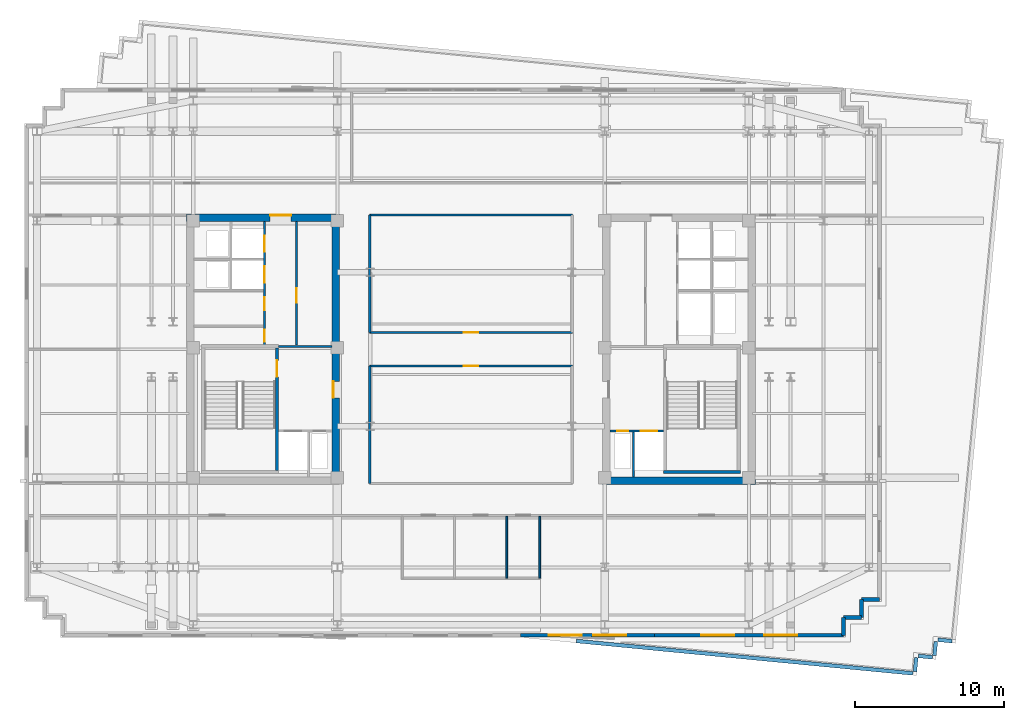
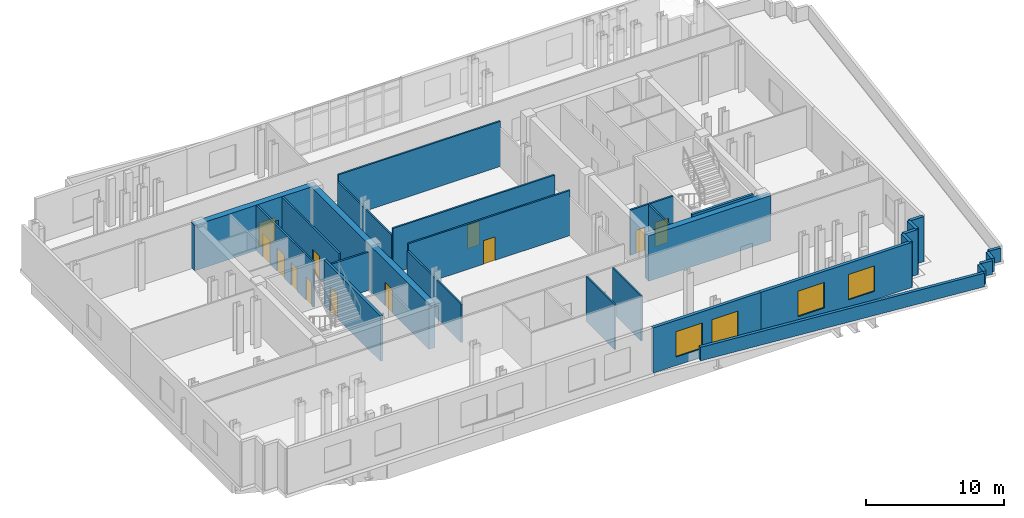
# One storey, part 6 of 11: 28 walls, 12 doors, 4 windows, 16 openings.
"""IFC4 building model written with IfcOpenShell, lengths in metres."""

from ifc_helpers import new_model, si_unit, direction, frame, frame_2d, origin, place, context, subcontext, project, spatial, rectangle, extrude, material, layer, layer_set, type_object, element, fill, save


model = new_model("IFC4")

# Units and contexts
model_context = context("Model", 3, precision=1e-05, world=origin(), true_north=direction((0.0, 1.0)))
body_context = subcontext(model_context, "Body", "Model", "MODEL_VIEW")
ifc_project = project(units=[si_unit("LENGTHUNIT", "METRE"), si_unit("AREAUNIT", "SQUARE_METRE"), si_unit("VOLUMEUNIT", "CUBIC_METRE"), si_unit("PLANEANGLEUNIT", "RADIAN"), si_unit("MASSUNIT", "GRAM", prefix="KILO")], contexts=[model_context])

# Site, building, storey
site_placement = place(None, origin())
site = spatial("IfcSite", under=ifc_project, at=site_placement, CompositionType="ELEMENT")
building_placement = place(site_placement, origin())
building = spatial("IfcBuilding", under=site, at=building_placement, Name="Velakula Bourse", CompositionType="ELEMENT")
storey_placement = place(building_placement, frame((0.0, 0.0, 204.300048828125)))
storey = spatial("IfcBuildingStorey", under=building, at=storey_placement, Name="L55", CompositionType="ELEMENT", Elevation=204.300048828125)

# Wall, opening, door
ifc_material_1 = material(Name="Concrete M50 (fck 50 MPa)", Category="concrete")
ifc_layer_1 = layer(ifc_material_1, 0.2099609375, Name="Concrete M50 (fck 50 MPa)", Category="concrete")
ifc_layer_set_1 = layer_set([ifc_layer_1], Name="Concrete M50 (fck 50 MPa)")
wall_type_1 = type_object("IfcWallType", Name="WL-CORE-210", PredefinedType="SHEAR", material=ifc_layer_set_1)
wall_1_placement = place(storey_placement, frame((-12.9951171875, -8.10009765625, 0.0), z_axis=(0.0, 0.0, 1.0), x_axis=(0.0, 1.0, 0.0)))
wall_1 = element("IfcWall", 1, at=wall_1_placement, inside=storey, type_object=wall_type_1, Name="L55 Core W Stairwell Shear Wall IN", PredefinedType="SHEAR", context=body_context, shape_type="SweptSolid", body=[
    extrude(rectangle(XDim=8.2001953125, YDim=0.2099609375, at=frame_2d((4.10009765625, 0.0))), origin(), (0.0, 0.0, 1.0), 4.02001953125),
])
opening_1_placement = place(wall_1_placement, frame((6.25, 0.0, 0.0)))
opening_1 = element("IfcOpeningElement", 2, at=opening_1_placement, cuts=wall_1, Name="Opening D-STW1", PredefinedType="OPENING", context=body_context, shape_type="SweptSolid", body=[
    extrude(rectangle(XDim=1.10009765625, YDim=2.14990234375, at=frame_2d((0.550048828125, 1.074951171875))), frame((0.0, 0.114990234375, 0.0), z_axis=(0.0, -1.0, 0.0), x_axis=(1.0, 0.0, 0.0)), (0.0, 0.0, 1.0), 0.22998046875),
])
ifc_material_2 = material(Name="Galvanised painted hollow steel fire door", Category="steel")
door_type_1 = type_object("IfcDoorType", Name="DR-FD120-1100x2150", OperationType="NOTDEFINED", PredefinedType="DOOR", material=ifc_material_2)
door_1_placement = place(opening_1_placement, origin())
door_1 = element("IfcDoor", 3, at=door_1_placement, inside=storey, type_object=door_type_1, Name="L55 Stair ST-W1 Fire Door", OperationType="SINGLE_SWING_LEFT", OverallHeight=2.14990234375, OverallWidth=1.10009765625, PredefinedType="DOOR", context=body_context, shape_type="SweptSolid", body=[
    extrude(rectangle(XDim=1.10009765625, YDim=2.14990234375, at=frame_2d((0.550048828125, 1.074951171875))), frame((0.0, 0.02490234375, 0.0), z_axis=(0.0, -1.0, 0.0), x_axis=(1.0, 0.0, 0.0)), (0.0, 0.0, 1.0), 0.050048828125),
])
fill(opening_1, door_1)

# Wall
wall_2_placement = place(storey_placement, frame((12.889892578125, -8.205078125, 0.0), z_axis=(0.0, 0.0, 1.0), x_axis=(1.0, 0.0, 0.0)))
element("IfcWall", 4, at=wall_2_placement, inside=storey, type_object=wall_type_1, Name="L55 Core E Stairwell Shear Wall S", PredefinedType="SHEAR", context=body_context, shape_type="SweptSolid", body=[
    extrude(rectangle(XDim=5.14013671875, YDim=0.2099609375, at=frame_2d((2.570068359375, 0.0))), origin(), (0.0, 0.0, 1.0), 4.02001953125),
])

# Wall, opening, door
ifc_layer_2 = layer(ifc_material_1, 0.5, Name="Concrete M50 (fck 50 MPa)", Category="concrete")
ifc_layer_set_2 = layer_set([ifc_layer_2], Name="Concrete M50 (fck 50 MPa)")
wall_type_2 = type_object("IfcWallType", Name="WL-CORE-500", PredefinedType="SHEAR", material=ifc_layer_set_2)
wall_3_placement = place(storey_placement, frame((-19.050048828125, 8.800048828125, 0.0), z_axis=(0.0, 0.0, 1.0), x_axis=(1.0, 0.0, 0.0)))
wall_3 = element("IfcWall", 5, at=wall_3_placement, inside=storey, type_object=wall_type_2, Name="L55 Core W Shear Wall N", PredefinedType="SHEAR", context=body_context, shape_type="SweptSolid", body=[
    extrude(rectangle(XDim=10.25, YDim=0.5, at=frame_2d((5.125, 0.0))), origin(), (0.0, 0.0, 1.0), 4.02001953125),
])
opening_2_placement = place(wall_3_placement, frame((5.60009765625, 0.0, 0.0)))
opening_2 = element("IfcOpeningElement", 6, at=opening_2_placement, cuts=wall_3, Name="Opening D-LLW", PredefinedType="OPENING", context=body_context, shape_type="SweptSolid", body=[
    extrude(rectangle(XDim=1.39990234375, YDim=2.050048828125, at=frame_2d((0.699951171875, 1.02490234375))), frame((0.0, 0.260009765625, 0.0), z_axis=(0.0, -1.0, 0.0), x_axis=(1.0, 0.0, 0.0)), (0.0, 0.0, 1.0), 0.52001953125),
])
ifc_material_3 = material(Name="Fire-rated hardwood flush architectural door", Category="wood")
door_type_2 = type_object("IfcDoorType", Name="DR-DBL-FD60-1400", OperationType="DOUBLE_DOOR_SINGLE_SWING", PredefinedType="DOOR", material=ifc_material_3)
door_2_placement = place(opening_2_placement, origin())
door_2 = element("IfcDoor", 7, at=door_2_placement, inside=storey, type_object=door_type_2, Name="L55 Core W Lift Lobby Corridor Double Door", OperationType="DOUBLE_DOOR_SINGLE_SWING", OverallHeight=2.050048828125, OverallWidth=1.39990234375, PredefinedType="DOOR", context=body_context, shape_type="SweptSolid", body=[
    extrude(rectangle(XDim=1.39990234375, YDim=2.050048828125, at=frame_2d((0.699951171875, 1.02490234375))), frame((0.0, 0.19482421875, 0.0), z_axis=(0.0, -1.0, 0.0), x_axis=(1.0, 0.0, 0.0)), (0.0, 0.0, 1.0), 0.050048828125),
])
fill(opening_2, door_2)

wall_4_placement = place(storey_placement, frame((-9.050048828125, -8.550048828125, 0.0), z_axis=(0.0, 0.0, 1.0), x_axis=(0.0, 1.0, 0.0)))
wall_4 = element("IfcWall", 8, at=wall_4_placement, inside=storey, type_object=wall_type_2, Name="L55 Core W Shear Wall E", PredefinedType="SHEAR", context=body_context, shape_type="SweptSolid", body=[
    extrude(rectangle(XDim=17.10009765625, YDim=0.5, at=frame_2d((8.550048828125, 0.0))), origin(), (0.0, 0.0, 1.0), 4.02001953125),
])
opening_3_placement = place(wall_4_placement, frame((5.300048828125, 0.0, 0.0)))
opening_3 = element("IfcOpeningElement", 9, at=opening_3_placement, cuts=wall_4, Name="Opening D-FLW", PredefinedType="OPENING", context=body_context, shape_type="SweptSolid", body=[
    extrude(rectangle(XDim=1.10009765625, YDim=2.080078125, at=frame_2d((0.550048828125, 1.0400390625))), frame((0.0, 0.260009765625, 0.0), z_axis=(0.0, -1.0, 0.0), x_axis=(1.0, 0.0, 0.0)), (0.0, 0.0, 1.0), 0.52001953125),
])
door_type_3 = type_object("IfcDoorType", Name="DR-FD120-1100", OperationType="NOTDEFINED", PredefinedType="DOOR", material=ifc_material_2)
door_3_placement = place(opening_3_placement, origin())
door_3 = element("IfcDoor", 10, at=door_3_placement, inside=storey, type_object=door_type_3, Name="L55 Firefighting Lobby W Corridor Fire Door", OperationType="SINGLE_SWING_LEFT", OverallHeight=2.080078125, OverallWidth=1.10009765625, PredefinedType="DOOR", context=body_context, shape_type="SweptSolid", body=[
    extrude(rectangle(XDim=1.10009765625, YDim=2.080078125, at=frame_2d((0.550048828125, 1.0400390625))), frame((0.0, 0.205078125, 0.0), z_axis=(0.0, -1.0, 0.0), x_axis=(1.0, 0.0, 0.0)), (0.0, 0.0, 1.0), 0.050048828125),
])
fill(opening_3, door_3)

# Wall
wall_5_placement = place(storey_placement, frame((8.800048828125, -8.800048828125, 0.0), z_axis=(0.0, 0.0, 1.0), x_axis=(1.0, 0.0, 0.0)))
element("IfcWall", 11, at=wall_5_placement, inside=storey, type_object=wall_type_2, Name="L55 Core E Shear Wall S", PredefinedType="SHEAR", context=body_context, shape_type="SweptSolid", body=[
    extrude(rectangle(XDim=10.25, YDim=0.5, at=frame_2d((5.125, 0.0))), origin(), (0.0, 0.0, 1.0), 4.02001953125),
])

# Wall, openings, windows
ifc_material_4 = material(Name="Buff kilned clay facing brick masonry", Category="masonry")
ifc_layer_3 = layer(ifc_material_4, 0.260009765625, Name="Buff kilned clay facing brick masonry", Category="masonry")
ifc_layer_set_3 = layer_set([ifc_layer_3], Name="Buff kilned clay facing brick masonry")
wall_type_3 = type_object("IfcWallType", Name="WL-EXT-BRK-260", PredefinedType="STANDARD", material=ifc_layer_set_3)
wall_6_placement = place(storey_placement, frame((12.300048828125, -19.14990234375, 0.0), z_axis=(0.0, 0.0, 1.0), x_axis=(-1.0, 0.0, 0.0)))
wall_6 = element("IfcWall", 12, at=wall_6_placement, inside=storey, type_object=wall_type_3, Name="L55 S Brick Spandrel Wall B4", PredefinedType="STANDARD", context=body_context, shape_type="SweptSolid", body=[
    extrude(rectangle(XDim=9.0, YDim=0.260009765625, at=frame_2d((4.5, 0.0))), origin(), (0.0, 0.0, 1.0), 4.0),
])
opening_4_placement = place(wall_6_placement, frame((1.89990234375, 0.0, 0.760009765625)))
opening_4 = element("IfcOpeningElement", 13, at=opening_4_placement, cuts=wall_6, Name="Opening W-08", PredefinedType="OPENING", context=body_context, shape_type="SweptSolid", body=[
    extrude(rectangle(XDim=2.199951171875, YDim=2.25, at=frame_2d((1.10009765625, 1.125))), frame((0.0, 0.139892578125, 0.0), z_axis=(0.0, -1.0, 0.0), x_axis=(1.0, 0.0, 0.0)), (0.0, 0.0, 1.0), 0.280029296875),
])
opening_5_placement = place(wall_6_placement, frame((4.89990234375, 0.0, 0.760009765625)))
opening_5 = element("IfcOpeningElement", 14, at=opening_5_placement, cuts=wall_6, Name="Opening W-08", PredefinedType="OPENING", context=body_context, shape_type="SweptSolid", body=[
    extrude(rectangle(XDim=2.199951171875, YDim=2.25, at=frame_2d((1.10009765625, 1.125))), frame((0.0, 0.139892578125, 0.0), z_axis=(0.0, -1.0, 0.0), x_axis=(1.0, 0.0, 0.0)), (0.0, 0.0, 1.0), 0.280029296875),
])
ifc_material_5 = material(Name="Double-glazed solar-control Low-E glass", Category="glass")
window_type = type_object("IfcWindowType", Name="WIN-SL-2200x2500", PartitioningType="DOUBLE_PANEL_VERTICAL", PredefinedType="WINDOW", material=ifc_material_5)
window_1_placement = place(opening_4_placement, origin())
window_1 = element("IfcWindow", 15, at=window_1_placement, inside=storey, type_object=window_type, Name="L55 Deep-Set Recessed Window 1", OverallHeight=2.25, OverallWidth=2.199951171875, PartitioningType="DOUBLE_PANEL_VERTICAL", PredefinedType="WINDOW", context=body_context, shape_type="SweptSolid", body=[
    extrude(rectangle(XDim=2.199951171875, YDim=2.25, at=frame_2d((1.10009765625, 1.125))), frame((0.0, 0.030029296875, 0.0), z_axis=(0.0, -1.0, 0.0), x_axis=(1.0, 0.0, 0.0)), (0.0, 0.0, 1.0), 0.06005859375),
])
fill(opening_4, window_1)
window_2_placement = place(opening_5_placement, origin())
window_2 = element("IfcWindow", 16, at=window_2_placement, inside=storey, type_object=window_type, Name="L55 Deep-Set Recessed Window 2", OverallHeight=2.25, OverallWidth=2.199951171875, PartitioningType="DOUBLE_PANEL_VERTICAL", PredefinedType="WINDOW", context=body_context, shape_type="SweptSolid", body=[
    extrude(rectangle(XDim=2.199951171875, YDim=2.25, at=frame_2d((1.10009765625, 1.125))), frame((0.0, 0.030029296875, 0.0), z_axis=(0.0, -1.0, 0.0), x_axis=(1.0, 0.0, 0.0)), (0.0, 0.0, 1.0), 0.06005859375),
])
fill(opening_5, window_2)

wall_7_placement = place(storey_placement, frame((24.949951171875, -19.14990234375, 0.0), z_axis=(0.0, 0.0, 1.0), x_axis=(-1.0, 0.0, 0.0)))
wall_7 = element("IfcWall", 17, at=wall_7_placement, inside=storey, type_object=wall_type_3, Name="L55 S Brick Spandrel Wall B5", PredefinedType="STANDARD", context=body_context, shape_type="SweptSolid", body=[
    extrude(rectangle(XDim=12.64990234375, YDim=0.260009765625, at=frame_2d((6.324951171875, 0.0))), origin(), (0.0, 0.0, 1.0), 4.0),
])
opening_6_placement = place(wall_7_placement, frame((3.11669921875, 0.0, 0.760009765625)))
opening_6 = element("IfcOpeningElement", 18, at=opening_6_placement, cuts=wall_7, Name="Opening W-08", PredefinedType="OPENING", context=body_context, shape_type="SweptSolid", body=[
    extrude(rectangle(XDim=2.199951171875, YDim=2.25, at=frame_2d((1.10009765625, 1.125))), frame((0.0, 0.139892578125, 0.0), z_axis=(0.0, -1.0, 0.0), x_axis=(1.0, 0.0, 0.0)), (0.0, 0.0, 1.0), 0.280029296875),
])
opening_7_placement = place(wall_7_placement, frame((7.333251953125, 0.0, 0.760009765625)))
opening_7 = element("IfcOpeningElement", 19, at=opening_7_placement, cuts=wall_7, Name="Opening W-08", PredefinedType="OPENING", context=body_context, shape_type="SweptSolid", body=[
    extrude(rectangle(XDim=2.199951171875, YDim=2.25, at=frame_2d((1.10009765625, 1.125))), frame((0.0, 0.139892578125, 0.0), z_axis=(0.0, -1.0, 0.0), x_axis=(1.0, 0.0, 0.0)), (0.0, 0.0, 1.0), 0.280029296875),
])
window_3_placement = place(opening_6_placement, origin())
window_3 = element("IfcWindow", 20, at=window_3_placement, inside=storey, type_object=window_type, Name="L55 Deep-Set Recessed Window 1", OverallHeight=2.25, OverallWidth=2.199951171875, PartitioningType="DOUBLE_PANEL_VERTICAL", PredefinedType="WINDOW", context=body_context, shape_type="SweptSolid", body=[
    extrude(rectangle(XDim=2.199951171875, YDim=2.25, at=frame_2d((1.10009765625, 1.125))), frame((0.0, 0.030029296875, 0.0), z_axis=(0.0, -1.0, 0.0), x_axis=(1.0, 0.0, 0.0)), (0.0, 0.0, 1.0), 0.06005859375),
])
fill(opening_6, window_3)
window_4_placement = place(opening_7_placement, origin())
window_4 = element("IfcWindow", 21, at=window_4_placement, inside=storey, type_object=window_type, Name="L55 Deep-Set Recessed Window 2", OverallHeight=2.25, OverallWidth=2.199951171875, PartitioningType="DOUBLE_PANEL_VERTICAL", PredefinedType="WINDOW", context=body_context, shape_type="SweptSolid", body=[
    extrude(rectangle(XDim=2.199951171875, YDim=2.25, at=frame_2d((1.10009765625, 1.125))), frame((0.0, 0.030029296875, 0.0), z_axis=(0.0, -1.0, 0.0), x_axis=(1.0, 0.0, 0.0)), (0.0, 0.0, 1.0), 0.06005859375),
])
fill(opening_7, window_4)

# Walls
for number, where, z_axis, x_axis, name in (
    (22, (24.949951171875, -19.14990234375, 0.0), (0.0, 0.0, 1.0), (0.0, 1.0, 0.0), "L55 Serrated Corner Brick Wall SE-1"),
    (23, (24.949951171875, -17.949951171875, 0.0), (0.0, 0.0, 1.0), (1.0, 0.0, 0.0), "L55 Serrated Corner Brick Wall SE-2"),
    (24, (26.14990234375, -17.949951171875, 0.0), (0.0, 0.0, 1.0), (0.0, 1.0, 0.0), "L55 Serrated Corner Brick Wall SE-3"),
):
    element("IfcWall", number, at=place(storey_placement, frame(where, z_axis=z_axis, x_axis=x_axis)), inside=storey, type_object=wall_type_3, Name=name, PredefinedType="STANDARD", context=body_context, shape_type="SweptSolid", body=[
        extrude(rectangle(XDim=1.199951171875, YDim=0.260009765625, at=frame_2d((0.60009765625, 0.0))), origin(), (0.0, 0.0, 1.0), 4.0),
    ])
wall_8_placement = place(storey_placement, frame((26.14990234375, -16.75, 0.0), z_axis=(0.0, 0.0, 1.0), x_axis=(1.0, 0.0, 0.0)))
element("IfcWall", 25, at=wall_8_placement, inside=storey, type_object=wall_type_3, Name="L55 Serrated Corner Brick Wall SE-4", PredefinedType="STANDARD", context=body_context, shape_type="SweptSolid", body=[
    extrude(rectangle(XDim=1.2001953125, YDim=0.260009765625, at=frame_2d((0.60009765625, 0.0))), origin(), (0.0, 0.0, 1.0), 4.0),
])
ifc_layer_4 = layer(ifc_material_4, 0.25, Name="Buff kilned clay facing brick masonry", Category="masonry")
ifc_layer_set_4 = layer_set([ifc_layer_4], Name="Buff kilned clay facing brick masonry")
wall_type_4 = type_object("IfcWallType", Name="WL-PAR-ROOF-250", PredefinedType="PARAPET", material=ifc_layer_set_4)
for number, where, z_axis, x_axis, name in (
    (26, (32.1982421875, -19.542236328125, 0.0), (0.0, 0.0, 1.0), (-0.995398079194, 0.095826217381, 0.0), "L55 Closed Roof Perimeter Parapet 13"),
    (27, (31.12060546875, -19.569091796875, 0.0), (0.0, 0.0, 1.0), (-0.095826217381, -0.995398079194, 0.0), "L55 Closed Roof Perimeter Parapet 14"),
    (28, (30.888671875, -20.62158203125, 0.0), (0.0, 0.0, 1.0), (-0.995398079194, 0.095826217381, 0.0), "L55 Closed Roof Perimeter Parapet 15"),
):
    element("IfcWall", number, at=place(storey_placement, frame(where, z_axis=z_axis, x_axis=x_axis)), inside=storey, type_object=wall_type_4, Name=name, PredefinedType="PARAPET", context=body_context, shape_type="SweptSolid", body=[
        extrude(rectangle(XDim=0.940185546875, YDim=0.25, at=frame_2d((0.47021484375, 0.0))), origin(), (0.0, 0.0, 1.0), 1.199951171875),
    ])
wall_9_placement = place(storey_placement, frame((29.81103515625, -20.648681640625, 0.0), z_axis=(0.0, 0.0, 1.0), x_axis=(-0.095850994504, -0.995395693608, 0.0)))
element("IfcWall", 29, at=wall_9_placement, inside=storey, type_object=wall_type_4, Name="L55 Closed Roof Perimeter Parapet 16", PredefinedType="PARAPET", context=body_context, shape_type="SweptSolid", body=[
    extrude(rectangle(XDim=0.93994140625, YDim=0.25, at=frame_2d((0.469970703125, 0.0))), origin(), (0.0, 0.0, 1.0), 1.199951171875),
])
wall_10_placement = place(storey_placement, frame((29.5791015625, -21.701171875, 0.0), z_axis=(0.0, 0.0, 1.0), x_axis=(-0.995396348801, 0.095844190195, 0.0)))
element("IfcWall", 30, at=wall_10_placement, inside=storey, type_object=wall_type_4, Name="L55 Closed Roof Perimeter Parapet 17", PredefinedType="PARAPET", context=body_context, shape_type="SweptSolid", body=[
    extrude(rectangle(XDim=22.62744140625, YDim=0.25, at=frame_2d((11.313720703125, 0.0))), origin(), (0.0, 0.0, 1.0), 1.199951171875),
])
ifc_material_6 = material(Name="Fire-rated double-layer gypsum drywall partition", Category="gypsum")
ifc_layer_5 = layer(ifc_material_6, 0.1201171875, Name="Fire-rated double-layer gypsum drywall partition", Category="gypsum")
ifc_layer_set_5 = layer_set([ifc_layer_5], Name="Fire-rated double-layer gypsum drywall partition")
wall_type_5 = type_object("IfcWallType", Name="WL-PART-120", PredefinedType="STANDARD", material=ifc_layer_set_5)
for number, where, z_axis, x_axis, name in (
    (31, (2.39990234375, -15.320068359375, 0.0), (0.0, 0.0, 1.0), (0.0, 1.0, 0.0), "L55 Interior Partition WL-WC-L55-V3"),
    (32, (4.60009765625, -15.320068359375, 0.0), (0.0, 0.0, 1.0), (0.0, 1.0, 0.0), "L55 Interior Partition WL-WC-L55-V4"),
):
    element("IfcWall", number, at=place(storey_placement, frame(where, z_axis=z_axis, x_axis=x_axis)), inside=storey, type_object=wall_type_5, Name=name, PredefinedType="STANDARD", context=body_context, shape_type="SweptSolid", body=[
        extrude(rectangle(XDim=4.130126953125, YDim=0.1201171875, at=frame_2d((2.06494140625, 0.0))), origin(), (0.0, 0.0, 1.0), 4.0),
    ])

# Wall, opening, door
ifc_layer_6 = layer(ifc_material_6, 0.139892578125, Name="Fire-rated double-layer gypsum drywall partition", Category="gypsum")
ifc_layer_set_6 = layer_set([ifc_layer_6], Name="Fire-rated double-layer gypsum drywall partition")
wall_type_6 = type_object("IfcWallType", Name="WL-PART-140", PredefinedType="STANDARD", material=ifc_layer_set_6)
wall_11_placement = place(storey_placement, frame((-6.780029296875, 1.1201171875, 0.0), z_axis=(0.0, 0.0, 1.0), x_axis=(1.0, 0.0, 0.0)))
wall_11 = element("IfcWall", 33, at=wall_11_placement, inside=storey, type_object=wall_type_6, Name="L55 Interior Partition WL-INT-L55-MN-IN", PredefinedType="STANDARD", context=body_context, shape_type="SweptSolid", body=[
    extrude(rectangle(XDim=13.56005859375, YDim=0.139892578125, at=frame_2d((6.780029296875, 0.0))), origin(), (0.0, 0.0, 1.0), 4.0),
])
opening_8_placement = place(wall_11_placement, frame((6.280029296875, 0.0, 0.0)))
opening_8 = element("IfcOpeningElement", 34, at=opening_8_placement, cuts=wall_11, Name="Opening D-OF1", PredefinedType="OPENING", context=body_context, shape_type="SweptSolid", body=[
    extrude(rectangle(XDim=1.0, YDim=2.080078125, at=frame_2d((0.5, 1.0400390625))), frame((0.0, 0.079833984375, 0.0), z_axis=(0.0, -1.0, 0.0), x_axis=(1.0, 0.0, 0.0)), (0.0, 0.0, 1.0), 0.159912109375),
])
door_type_4 = type_object("IfcDoorType", Name="DR-OFF-1000", OperationType="NOTDEFINED", PredefinedType="DOOR", material=ifc_material_3)
door_4_placement = place(opening_8_placement, origin())
door_4 = element("IfcDoor", 35, at=door_4_placement, inside=storey, type_object=door_type_4, Name="L55 Broadcast Control Office Door", OperationType="SINGLE_SWING_RIGHT", OverallHeight=2.080078125, OverallWidth=1.0, PredefinedType="DOOR", context=body_context, shape_type="SweptSolid", body=[
    extrude(rectangle(XDim=1.0, YDim=2.080078125, at=frame_2d((0.5, 1.0400390625))), frame((0.0, 0.02490234375, 0.0), z_axis=(0.0, -1.0, 0.0), x_axis=(1.0, 0.0, 0.0)), (0.0, 0.0, 1.0), 0.050048828125),
])
fill(opening_8, door_4)

# Walls
wall_12_placement = place(storey_placement, frame((-6.780029296875, 8.97998046875, 0.0), z_axis=(0.0, 0.0, 1.0), x_axis=(1.0, 0.0, 0.0)))
element("IfcWall", 36, at=wall_12_placement, inside=storey, type_object=wall_type_6, Name="L55 Interior Partition WL-INT-L55-MN-OUT", PredefinedType="STANDARD", context=body_context, shape_type="SweptSolid", body=[
    extrude(rectangle(XDim=13.56005859375, YDim=0.139892578125, at=frame_2d((6.780029296875, 0.0))), origin(), (0.0, 0.0, 1.0), 4.0),
])
wall_13_placement = place(storey_placement, frame((-6.780029296875, 1.1201171875, 0.0), z_axis=(0.0, 0.0, 1.0), x_axis=(0.0, 1.0, 0.0)))
element("IfcWall", 37, at=wall_13_placement, inside=storey, type_object=wall_type_6, Name="L55 Interior Partition WL-INT-L55-MN-W", PredefinedType="STANDARD", context=body_context, shape_type="SweptSolid", body=[
    extrude(rectangle(XDim=7.85986328125, YDim=0.139892578125, at=frame_2d((3.929931640625, 0.0))), origin(), (0.0, 0.0, 1.0), 3.39501953125),
])

# Wall, opening, door
wall_14_placement = place(storey_placement, frame((-6.780029296875, -1.1201171875, 0.0), z_axis=(0.0, 0.0, 1.0), x_axis=(1.0, 0.0, 0.0)))
wall_14 = element("IfcWall", 38, at=wall_14_placement, inside=storey, type_object=wall_type_6, Name="L55 Interior Partition WL-INT-L55-MS-IN", PredefinedType="STANDARD", context=body_context, shape_type="SweptSolid", body=[
    extrude(rectangle(XDim=13.56005859375, YDim=0.139892578125, at=frame_2d((6.780029296875, 0.0))), origin(), (0.0, 0.0, 1.0), 4.0),
])
opening_9_placement = place(wall_14_placement, frame((6.280029296875, 0.0, 0.0)))
opening_9 = element("IfcOpeningElement", 39, at=opening_9_placement, cuts=wall_14, Name="Opening D-OF1", PredefinedType="OPENING", context=body_context, shape_type="SweptSolid", body=[
    extrude(rectangle(XDim=1.0, YDim=2.080078125, at=frame_2d((0.5, 1.0400390625))), frame((0.0, 0.079833984375, 0.0), z_axis=(0.0, -1.0, 0.0), x_axis=(1.0, 0.0, 0.0)), (0.0, 0.0, 1.0), 0.159912109375),
])
door_5_placement = place(opening_9_placement, origin())
door_5 = element("IfcDoor", 40, at=door_5_placement, inside=storey, type_object=door_type_4, Name="L55 Margin Control Office Door", OperationType="SINGLE_SWING_LEFT", OverallHeight=2.080078125, OverallWidth=1.0, PredefinedType="DOOR", context=body_context, shape_type="SweptSolid", body=[
    extrude(rectangle(XDim=1.0, YDim=2.080078125, at=frame_2d((0.5, 1.0400390625))), frame((0.0, 0.02490234375, 0.0), z_axis=(0.0, -1.0, 0.0), x_axis=(1.0, 0.0, 0.0)), (0.0, 0.0, 1.0), 0.050048828125),
])
fill(opening_9, door_5)

# Walls
wall_15_placement = place(storey_placement, frame((-6.780029296875, -8.97998046875, 0.0), z_axis=(0.0, 0.0, 1.0), x_axis=(0.0, 1.0, 0.0)))
element("IfcWall", 41, at=wall_15_placement, inside=storey, type_object=wall_type_6, Name="L55 Interior Partition WL-INT-L55-MS-W", PredefinedType="STANDARD", context=body_context, shape_type="SweptSolid", body=[
    extrude(rectangle(XDim=7.85986328125, YDim=0.139892578125, at=frame_2d((3.929931640625, 0.0))), origin(), (0.0, 0.0, 1.0), 3.39501953125),
])
ifc_material_7 = material(Name="Autoclaved aerated concrete blockwork masonry", Category="masonry")
ifc_layer_7 = layer(ifc_material_7, 0.14990234375, Name="Autoclaved aerated concrete blockwork masonry", Category="masonry")
ifc_layer_set_7 = layer_set([ifc_layer_7], Name="Autoclaved aerated concrete blockwork masonry")
wall_type_7 = type_object("IfcWallType", Name="WL-SHAFT-150", PredefinedType="STANDARD", material=ifc_layer_set_7)
wall_16_placement = place(storey_placement, frame((-12.889892578125, 0.18994140625, 0.0), z_axis=(0.0, 0.0, 1.0), x_axis=(1.0, 0.0, 0.0)))
element("IfcWall", 42, at=wall_16_placement, inside=storey, type_object=wall_type_7, Name="L55 Interior Partition WL-CRW-L55-FF-TOP", PredefinedType="STANDARD", context=body_context, shape_type="SweptSolid", body=[
    extrude(rectangle(XDim=3.58984375, YDim=0.14990234375, at=frame_2d((1.794921875, 0.0))), origin(), (0.0, 0.0, 1.0), 3.39501953125),
])

# Wall, opening, door
wall_17_placement = place(storey_placement, frame((-11.675048828125, 0.27001953125, 0.0), z_axis=(0.0, 0.0, 1.0), x_axis=(0.0, 1.0, 0.0)))
wall_17 = element("IfcWall", 43, at=wall_17_placement, inside=storey, type_object=wall_type_7, Name="L55 Interior Partition WL-CRW-L55-BANK-F", PredefinedType="STANDARD", context=body_context, shape_type="SweptSolid", body=[
    extrude(rectangle(XDim=8.280029296875, YDim=0.14990234375, at=frame_2d((4.14013671875, 0.0))), origin(), (0.0, 0.0, 1.0), 4.0),
])
opening_10_placement = place(wall_17_placement, frame((2.85009765625, 0.0, 0.0)))
opening_10 = element("IfcOpeningElement", 44, at=opening_10_placement, cuts=wall_17, Name="Opening D-RC4", PredefinedType="OPENING", context=body_context, shape_type="SweptSolid", body=[
    extrude(rectangle(XDim=0.949951171875, YDim=2.050048828125, at=frame_2d((0.47509765625, 1.02490234375))), frame((0.0, 0.0849609375, 0.0), z_axis=(0.0, -1.0, 0.0), x_axis=(1.0, 0.0, 0.0)), (0.0, 0.0, 1.0), 0.169921875),
])
door_type_5 = type_object("IfcDoorType", Name="DR-FD60-950x2050", OperationType="NOTDEFINED", PredefinedType="DOOR", material=ifc_material_3)
door_6_placement = place(opening_10_placement, origin())
door_6 = element("IfcDoor", 45, at=door_6_placement, inside=storey, type_object=door_type_5, Name="L55 Reclaimed Multi-Bay Archive Room Door", OperationType="SINGLE_SWING_RIGHT", OverallHeight=2.050048828125, OverallWidth=0.949951171875, PredefinedType="DOOR", context=body_context, shape_type="SweptSolid", body=[
    extrude(rectangle(XDim=0.949951171875, YDim=2.050048828125, at=frame_2d((0.47509765625, 1.02490234375))), frame((0.0, 0.02490234375, 0.0), z_axis=(0.0, -1.0, 0.0), x_axis=(1.0, 0.0, 0.0)), (0.0, 0.0, 1.0), 0.050048828125),
])
fill(opening_10, door_6)

# Wall, openings, doors
wall_18_placement = place(storey_placement, frame((-13.824951171875, 0.27001953125, 0.0), z_axis=(0.0, 0.0, 1.0), x_axis=(0.0, 1.0, 0.0)))
wall_18 = element("IfcWall", 46, at=wall_18_placement, inside=storey, type_object=wall_type_7, Name="L55 Interior Partition WL-CRW-L55-OUT-F", PredefinedType="STANDARD", context=body_context, shape_type="SweptSolid", body=[
    extrude(rectangle(XDim=8.280029296875, YDim=0.14990234375, at=frame_2d((4.14013671875, 0.0))), origin(), (0.0, 0.0, 1.0), 4.0),
])
opening_11_placement = place(wall_18_placement, frame((4.175048828125, 0.0, 0.0)))
opening_11 = element("IfcOpeningElement", 47, at=opening_11_placement, cuts=wall_18, Name="Opening LD-P9", PredefinedType="OPENING", context=body_context, shape_type="SweptSolid", body=[
    extrude(rectangle(XDim=1.10009765625, YDim=2.10009765625, at=frame_2d((0.550048828125, 1.050048828125))), frame((0.0, 0.0849609375, 0.0), z_axis=(0.0, -1.0, 0.0), x_axis=(1.0, 0.0, 0.0)), (0.0, 0.0, 1.0), 0.169921875),
])
opening_12_placement = place(wall_18_placement, frame((6.2451171875, 0.0, 0.0)))
opening_12 = element("IfcOpeningElement", 48, at=opening_12_placement, cuts=wall_18, Name="Opening LD-P10", PredefinedType="OPENING", context=body_context, shape_type="SweptSolid", body=[
    extrude(rectangle(XDim=1.10009765625, YDim=2.10009765625, at=frame_2d((0.550048828125, 1.050048828125))), frame((0.0, 0.0849609375, 0.0), z_axis=(0.0, -1.0, 0.0), x_axis=(1.0, 0.0, 0.0)), (0.0, 0.0, 1.0), 0.169921875),
])
opening_13_placement = place(wall_18_placement, frame((0.25, 0.0, 0.0)))
opening_13 = element("IfcOpeningElement", 49, at=opening_13_placement, cuts=wall_18, Name="Opening D-CS1", PredefinedType="OPENING", context=body_context, shape_type="SweptSolid", body=[
    extrude(rectangle(XDim=0.800048828125, YDim=2.050048828125, at=frame_2d((0.39990234375, 1.02490234375))), frame((0.0, 0.0849609375, 0.0), z_axis=(0.0, -1.0, 0.0), x_axis=(1.0, 0.0, 0.0)), (0.0, 0.0, 1.0), 0.169921875),
])
opening_14_placement = place(wall_18_placement, frame((2.35009765625, 0.0, 0.0)))
opening_14 = element("IfcOpeningElement", 50, at=opening_14_placement, cuts=wall_18, Name="Opening D-CW1", PredefinedType="OPENING", context=body_context, shape_type="SweptSolid", body=[
    extrude(rectangle(XDim=0.85009765625, YDim=2.050048828125, at=frame_2d((0.425048828125, 1.02490234375))), frame((0.0, 0.0849609375, 0.0), z_axis=(0.0, -1.0, 0.0), x_axis=(1.0, 0.0, 0.0)), (0.0, 0.0, 1.0), 0.169921875),
])
door_type_6 = type_object("IfcDoorType", Name="DR-INT-850", OperationType="NOTDEFINED", PredefinedType="DOOR", material=ifc_material_3)
door_7_placement = place(opening_14_placement, origin())
door_7 = element("IfcDoor", 51, at=door_7_placement, inside=storey, type_object=door_type_6, Name="L55 Core Janitor Closet Door", OperationType="SINGLE_SWING_RIGHT", OverallHeight=2.050048828125, OverallWidth=0.85009765625, PredefinedType="DOOR", context=body_context, shape_type="SweptSolid", body=[
    extrude(rectangle(XDim=0.85009765625, YDim=2.050048828125, at=frame_2d((0.425048828125, 1.02490234375))), frame((0.0, 0.02490234375, 0.0), z_axis=(0.0, -1.0, 0.0), x_axis=(1.0, 0.0, 0.0)), (0.0, 0.0, 1.0), 0.050048828125),
])
fill(opening_14, door_7)
door_type_7 = type_object("IfcDoorType", Name="DR-RISER-800x2050", OperationType="NOTDEFINED", PredefinedType="DOOR", material=ifc_material_2)
door_8_placement = place(opening_13_placement, origin())
door_8 = element("IfcDoor", 52, at=door_8_placement, inside=storey, type_object=door_type_7, Name="L55 Core Cleaner Store Door", OperationType="SINGLE_SWING_LEFT", OverallHeight=2.050048828125, OverallWidth=0.800048828125, PredefinedType="DOOR", context=body_context, shape_type="SweptSolid", body=[
    extrude(rectangle(XDim=0.800048828125, YDim=2.050048828125, at=frame_2d((0.39990234375, 1.02490234375))), frame((0.0, 0.02490234375, 0.0), z_axis=(0.0, -1.0, 0.0), x_axis=(1.0, 0.0, 0.0)), (0.0, 0.0, 1.0), 0.050048828125),
])
fill(opening_13, door_8)
ifc_material_8 = material(Name="Brushed grade 316 stainless steel", Category="steel")
door_type_8 = type_object("IfcDoorType", Name="DR-SLIDE-LD-1100", OperationType="DOUBLE_DOOR_SLIDING", PredefinedType="DOOR", material=ifc_material_8)
door_9_placement = place(opening_11_placement, origin())
door_9 = element("IfcDoor", 53, at=door_9_placement, inside=storey, type_object=door_type_8, Name="L55 Passenger Lift P9 Sliding Landing Door", OperationType="DOUBLE_DOOR_SLIDING", OverallHeight=2.10009765625, OverallWidth=1.10009765625, PredefinedType="DOOR", context=body_context, shape_type="SweptSolid", body=[
    extrude(rectangle(XDim=1.10009765625, YDim=2.10009765625, at=frame_2d((0.550048828125, 1.050048828125))), frame((0.0, 0.02490234375, 0.0), z_axis=(0.0, -1.0, 0.0), x_axis=(1.0, 0.0, 0.0)), (0.0, 0.0, 1.0), 0.050048828125),
])
fill(opening_11, door_9)
door_10_placement = place(opening_12_placement, origin())
door_10 = element("IfcDoor", 54, at=door_10_placement, inside=storey, type_object=door_type_8, Name="L55 Passenger Lift P10 Sliding Landing Door", OperationType="DOUBLE_DOOR_SLIDING", OverallHeight=2.10009765625, OverallWidth=1.10009765625, PredefinedType="DOOR", context=body_context, shape_type="SweptSolid", body=[
    extrude(rectangle(XDim=1.10009765625, YDim=2.10009765625, at=frame_2d((0.550048828125, 1.050048828125))), frame((0.0, 0.02490234375, 0.0), z_axis=(0.0, -1.0, 0.0), x_axis=(1.0, 0.0, 0.0)), (0.0, 0.0, 1.0), 0.050048828125),
])
fill(opening_12, door_10)

wall_19_placement = place(storey_placement, frame((9.300048828125, -5.47509765625, 0.0), z_axis=(0.0, 0.0, 1.0), x_axis=(1.0, 0.0, 0.0)))
wall_19 = element("IfcWall", 55, at=wall_19_placement, inside=storey, type_object=wall_type_7, Name="L55 Interior Partition WL-CRE-L55-FFL-N", PredefinedType="STANDARD", context=body_context, shape_type="SweptSolid", body=[
    extrude(rectangle(XDim=3.594970703125, YDim=0.14990234375, at=frame_2d((1.79736328125, 0.0))), origin(), (0.0, 0.0, 1.0), 4.0),
])
opening_15_placement = place(wall_19_placement, frame((2.074951171875, 0.0, 0.0)))
opening_15 = element("IfcOpeningElement", 56, at=opening_15_placement, cuts=wall_19, Name="Opening LD-FFL-2", PredefinedType="OPENING", context=body_context, shape_type="SweptSolid", body=[
    extrude(rectangle(XDim=1.10009765625, YDim=2.14990234375, at=frame_2d((0.550048828125, 1.074951171875))), frame((0.0, 0.0849609375, 0.0), z_axis=(0.0, -1.0, 0.0), x_axis=(1.0, 0.0, 0.0)), (0.0, 0.0, 1.0), 0.169921875),
])
opening_16_placement = place(wall_19_placement, frame((0.47509765625, 0.0, 0.0)))
opening_16 = element("IfcOpeningElement", 57, at=opening_16_placement, cuts=wall_19, Name="Opening D-RS1", PredefinedType="OPENING", context=body_context, shape_type="SweptSolid", body=[
    extrude(rectangle(XDim=0.75, YDim=2.050048828125, at=frame_2d((0.375, 1.02490234375))), frame((0.0, 0.0849609375, 0.0), z_axis=(0.0, -1.0, 0.0), x_axis=(1.0, 0.0, 0.0)), (0.0, 0.0, 1.0), 0.169921875),
])
door_type_9 = type_object("IfcDoorType", Name="DR-RISER-800", OperationType="NOTDEFINED", PredefinedType="DOOR", material=ifc_material_2)
door_11_placement = place(opening_16_placement, origin())
door_11 = element("IfcDoor", 58, at=door_11_placement, inside=storey, type_object=door_type_9, Name="L55 Fire Riser Access Door", OperationType="SINGLE_SWING_LEFT", OverallHeight=2.050048828125, OverallWidth=0.75, PredefinedType="DOOR", context=body_context, shape_type="SweptSolid", body=[
    extrude(rectangle(XDim=0.75, YDim=2.050048828125, at=frame_2d((0.375, 1.02490234375))), frame((0.0, 0.02490234375, 0.0), z_axis=(0.0, -1.0, 0.0), x_axis=(1.0, 0.0, 0.0)), (0.0, 0.0, 1.0), 0.050048828125),
])
fill(opening_16, door_11)
door_type_10 = type_object("IfcDoorType", Name="DR-SLIDE-FFL-1100", OperationType="DOUBLE_DOOR_SLIDING", PredefinedType="DOOR", material=ifc_material_8)
door_12_placement = place(opening_15_placement, origin())
door_12 = element("IfcDoor", 59, at=door_12_placement, inside=storey, type_object=door_type_10, Name="L55 Firefighting Lift FFL-2 Sliding Landing Door", OperationType="DOUBLE_DOOR_SLIDING", OverallHeight=2.14990234375, OverallWidth=1.10009765625, PredefinedType="DOOR", context=body_context, shape_type="SweptSolid", body=[
    extrude(rectangle(XDim=1.10009765625, YDim=2.14990234375, at=frame_2d((0.550048828125, 1.074951171875))), frame((0.0, 0.02490234375, 0.0), z_axis=(0.0, -1.0, 0.0), x_axis=(1.0, 0.0, 0.0)), (0.0, 0.0, 1.0), 0.050048828125),
])
fill(opening_15, door_12)

# Wall
wall_20_placement = place(storey_placement, frame((10.875, -8.550048828125, 0.0), z_axis=(0.0, 0.0, 1.0), x_axis=(0.0, 1.0, 0.0)))
element("IfcWall", 60, at=wall_20_placement, inside=storey, type_object=wall_type_7, Name="L55 Interior Partition WL-CRE-L55-FR-DIV", PredefinedType="STANDARD", context=body_context, shape_type="SweptSolid", body=[
    extrude(rectangle(XDim=3.0, YDim=0.14990234375, at=frame_2d((1.5, 0.0))), origin(), (0.0, 0.0, 1.0), 4.0),
])

save(model, "model.ifc")
